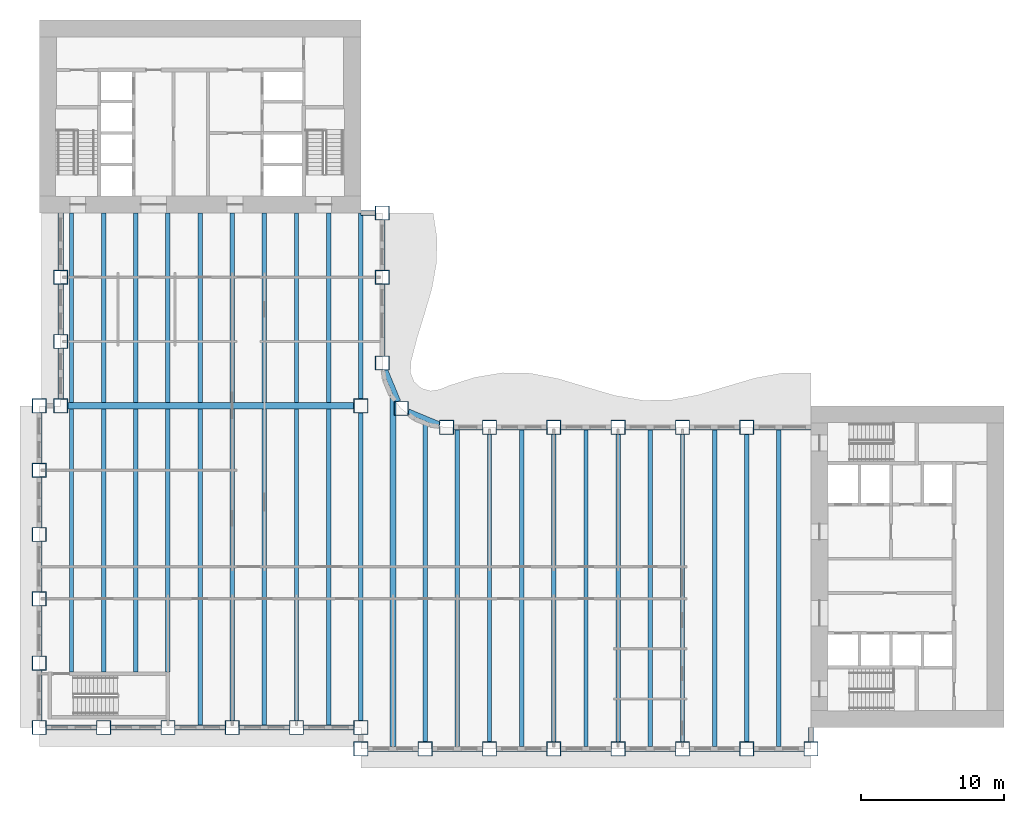
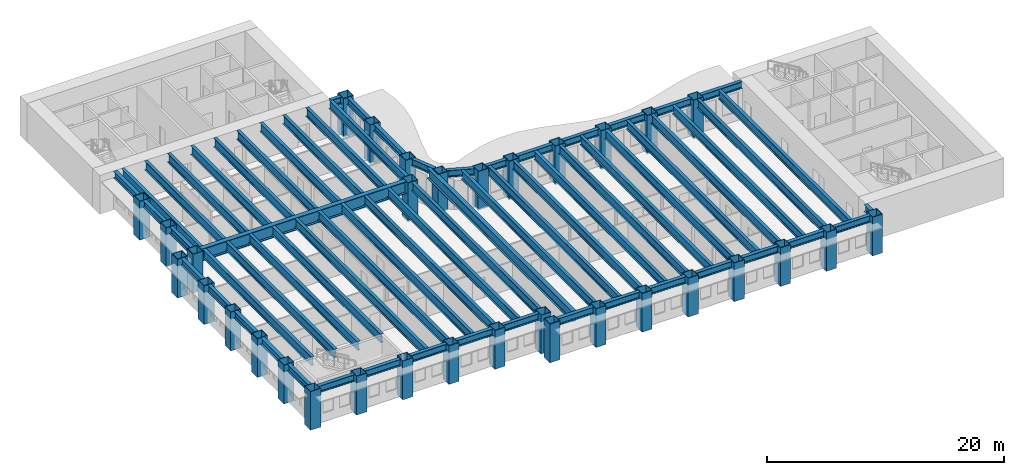
# One storey, part 1 of 16: 66 beams, 33 columns.
"""IFC4 building model written with IfcOpenShell, lengths in metres."""

from ifc_helpers import new_model, si_unit, direction, frame, origin, origin_2d, place, context, subcontext, project, spatial, hollow_rectangle, i_section, extrude, material, material_profile, profile_set, type_object, element, save


model = new_model("IFC4")

# Units and contexts
model_context = context("Model", 3, precision=1e-05, world=origin(), true_north=direction((0.0, 1.0)))
body_context = subcontext(model_context, "Body", "Model", "MODEL_VIEW")
ifc_project = project(units=[si_unit("LENGTHUNIT", "METRE"), si_unit("AREAUNIT", "SQUARE_METRE"), si_unit("VOLUMEUNIT", "CUBIC_METRE"), si_unit("PLANEANGLEUNIT", "RADIAN"), si_unit("MASSUNIT", "GRAM", prefix="KILO")], contexts=[model_context])

# Site, building, storey
site_placement = place(None, origin())
site = spatial("IfcSite", under=ifc_project, at=site_placement, CompositionType="ELEMENT")
building_placement = place(site_placement, origin())
building = spatial("IfcBuilding", under=site, at=building_placement, Name="Sennacour Bend Tower", CompositionType="ELEMENT")
storey_placement = place(building_placement, frame((0.0, 0.0, 115.0)))
storey = spatial("IfcBuildingStorey", under=building, at=storey_placement, Name="L26", CompositionType="ELEMENT", Elevation=115.0)

# Columns
ifc_material_1 = material(Name="Steel ASTM A572 Grade 50", Category="steel")
ifc_material_profile_1 = material_profile(ifc_material_1, hollow_rectangle(XDim=1.0, YDim=1.0, WallThickness=0.050048828125, at=origin_2d()), Name="Steel ASTM A572 Grade 50", Category="steel")
ifc_profile_set_1 = profile_set([ifc_material_profile_1], Name="Steel ASTM A572 Grade 50")
column_type = type_object("IfcColumnType", Name="Box column 1000", PredefinedType="COLUMN", material=ifc_profile_set_1)
for number, where, z_axis, x_axis, name in (
    (1, (0.0, 0.0, -0.14990234375), (0.0, 0.0, 1.0), (1.0, 0.0, 0.0), "Perimeter column C2 L26-001"),
    (2, (0.0, 4.5, -0.14990234375), (0.0, 0.0, 1.0), (1.0, 0.0, 0.0), "Perimeter column C2 L26-002"),
    (3, (0.0, 9.0, -0.14990234375), (0.0, 0.0, 1.0), (1.0, 0.0, 0.0), "Perimeter column C2 L26-003"),
    (4, (0.0, 13.5, -0.14990234375), (0.0, 0.0, 1.0), (1.0, 0.0, 0.0), "Perimeter column C2 L26-004"),
    (5, (0.0, 18.0, -0.14990234375), (0.0, 0.0, 1.0), (1.0, 0.0, 0.0), "Perimeter column C2 L26-005"),
    (6, (0.0, 22.5, -0.14990234375), (0.0, 0.0, 1.0), (1.0, 0.0, 0.0), "Perimeter column C2 L26-006"),
    (7, (1.5, 22.5, -0.14990234375), (0.0, 0.0, 1.0), (1.0, 0.0, 0.0), "Perimeter column C2 L26-007"),
    (8, (1.5, 27.0, -0.14990234375), (0.0, 0.0, 1.0), (1.0, 0.0, 0.0), "Perimeter column C2 L26-008"),
    (9, (1.5, 31.5, -0.14990234375), (0.0, 0.0, 1.0), (1.0, 0.0, 0.0), "Perimeter column C2 L26-009"),
    (10, (4.5, 0.0, -0.14990234375), (0.0, 0.0, 1.0), (1.0, 0.0, 0.0), "Perimeter column C2 L26-010"),
    (11, (9.0, 0.0, -0.14990234375), (0.0, 0.0, 1.0), (1.0, 0.0, 0.0), "Perimeter column C2 L26-011"),
    (12, (13.5, 0.0, -0.14990234375), (0.0, 0.0, 1.0), (1.0, 0.0, 0.0), "Perimeter column C2 L26-012"),
    (13, (18.0, 0.0, -0.14990234375), (0.0, 0.0, 1.0), (1.0, 0.0, 0.0), "Perimeter column C2 L26-013"),
    (14, (22.5, -1.5, -0.14990234375), (0.0, 0.0, 1.0), (1.0, 0.0, 0.0), "Perimeter column C2 L26-014"),
    (15, (22.5, 0.0, -0.14990234375), (0.0, 0.0, 1.0), (1.0, 0.0, 0.0), "Perimeter column C2 L26-015"),
    (16, (22.5, 22.5, -0.14990234375), (0.0, 0.0, 1.0), (1.0, 0.0, 0.0), "Knuckle column C2 L26-016"),
    (17, (24.0, 25.5, -0.14990234375), (0.0, 0.0, 1.0), (1.0, 0.0, 0.0), "Perimeter column C2 L26-017"),
    (18, (24.0, 31.5, -0.14990234375), (0.0, 0.0, 1.0), (1.0, 0.0, 0.0), "Perimeter column C2 L26-018"),
    (19, (24.0, 36.0, -0.14990234375), (0.0, 0.0, 1.0), (1.0, 0.0, 0.0), "Perimeter column C2 L26-019"),
    (20, (25.318115234375, 22.318115234375, -0.14990234375), (0.0, 0.0, 1.0), (1.0, 0.0, 0.0), "Perimeter column C2 L26-020"),
    (21, (27.0, -1.5, -0.14990234375), (0.0, 0.0, 1.0), (1.0, 0.0, 0.0), "Perimeter column C2 L26-021"),
    (22, (28.5, 21.0, -0.14990234375), (0.0, 0.0, 1.0), (1.0, 0.0, 0.0), "Perimeter column C2 L26-022"),
    (23, (31.5, -1.5, -0.14990234375), (0.0, 0.0, 1.0), (1.0, 0.0, 0.0), "Perimeter column C2 L26-023"),
    (24, (31.5, 21.0, -0.14990234375), (0.0, 0.0, 1.0), (1.0, 0.0, 0.0), "Perimeter column C2 L26-024"),
    (25, (36.0, -1.5, -0.14990234375), (0.0, 0.0, 1.0), (1.0, 0.0, 0.0), "Perimeter column C2 L26-025"),
    (26, (36.0, 21.0, -0.14990234375), (0.0, 0.0, 1.0), (1.0, 0.0, 0.0), "Perimeter column C2 L26-026"),
    (27, (40.5, -1.5, -0.14990234375), (0.0, 0.0, 1.0), (1.0, 0.0, 0.0), "Perimeter column C2 L26-027"),
    (28, (40.5, 21.0, -0.14990234375), (0.0, 0.0, 1.0), (1.0, 0.0, 0.0), "Perimeter column C2 L26-028"),
    (29, (45.0, -1.5, -0.14990234375), (0.0, 0.0, 1.0), (1.0, 0.0, 0.0), "Perimeter column C2 L26-029"),
    (30, (45.0, 21.0, -0.14990234375), (0.0, 0.0, 1.0), (1.0, 0.0, 0.0), "Perimeter column C2 L26-030"),
    (31, (49.5, -1.5, -0.14990234375), (0.0, 0.0, 1.0), (1.0, 0.0, 0.0), "Perimeter column C2 L26-031"),
    (32, (49.5, 21.0, -0.14990234375), (0.0, 0.0, 1.0), (1.0, 0.0, 0.0), "Perimeter column C2 L26-032"),
    (33, (54.0, -1.5, -0.14990234375), (0.0, 0.0, 1.0), (1.0, 0.0, 0.0), "Perimeter column C2 L26-033"),
):
    element("IfcColumn", number, at=place(storey_placement, frame(where, z_axis=z_axis, x_axis=x_axis)), inside=storey, type_object=column_type, Name=name, PredefinedType="COLUMN", context=body_context, shape_type="SweptSolid", body=[
        extrude(hollow_rectangle(XDim=1.0, YDim=1.0, WallThickness=0.050048828125, at=origin_2d()), origin(), (0.0, 0.0, 1.0), 4.0),
    ])

# Beams
ifc_material_2 = material(Name="Steel ASTM A992 Grade 50", Category="steel")
ifc_material_profile_2 = material_profile(ifc_material_2, i_section(OverallWidth=0.304931640625, OverallDepth=0.912109375, WebThickness=0.015869140625, FlangeThickness=0.02392578125, FilletRadius=0.01904296875, at=origin_2d()), Name="Steel ASTM A992 Grade 50", Category="steel")
ifc_profile_set_2 = profile_set([ifc_material_profile_2], Name="Steel ASTM A992 Grade 50")
beam_type_1 = type_object("IfcBeamType", Name="Floor beam W920X223", PredefinedType="BEAM", material=ifc_profile_set_2)
beam_1_placement = place(storey_placement, frame((2.25, 3.875, 3.39404296875), z_axis=(0.0, 1.0, 0.0), x_axis=(-1.0, 0.0, 0.0)))
element("IfcBeam", 34, at=beam_1_placement, inside=storey, type_object=beam_type_1, Name="Floor beam FBM1 L27-001", PredefinedType="BEAM", context=body_context, shape_type="SweptSolid", body=[
    extrude(i_section(OverallWidth=0.304931640625, OverallDepth=0.912109375, WebThickness=0.015869140625, FlangeThickness=0.02392578125, FilletRadius=0.01904296875, at=origin_2d()), origin(), (0.0, 0.0, 1.0), 18.39990234375),
])
beam_2_placement = place(storey_placement, frame((2.25, 22.72509765625, 3.39404296875), z_axis=(0.0, 1.0, 0.0), x_axis=(-1.0, 0.0, 0.0)))
element("IfcBeam", 35, at=beam_2_placement, inside=storey, type_object=beam_type_1, Name="Floor beam FBM1 L27-002", PredefinedType="BEAM", context=body_context, shape_type="SweptSolid", body=[
    extrude(i_section(OverallWidth=0.304931640625, OverallDepth=0.912109375, WebThickness=0.015869140625, FlangeThickness=0.02392578125, FilletRadius=0.01904296875, at=origin_2d()), origin(), (0.0, 0.0, 1.0), 13.27490234375),
])
beam_3_placement = place(storey_placement, frame((4.5, 3.875, 3.39404296875), z_axis=(0.0, 1.0, 0.0), x_axis=(-1.0, 0.0, 0.0)))
element("IfcBeam", 36, at=beam_3_placement, inside=storey, type_object=beam_type_1, Name="Floor beam FBM1 L27-003", PredefinedType="BEAM", context=body_context, shape_type="SweptSolid", body=[
    extrude(i_section(OverallWidth=0.304931640625, OverallDepth=0.912109375, WebThickness=0.015869140625, FlangeThickness=0.02392578125, FilletRadius=0.01904296875, at=origin_2d()), origin(), (0.0, 0.0, 1.0), 18.39990234375),
])
beam_4_placement = place(storey_placement, frame((4.5, 22.72509765625, 3.39404296875), z_axis=(0.0, 1.0, 0.0), x_axis=(-1.0, 0.0, 0.0)))
element("IfcBeam", 37, at=beam_4_placement, inside=storey, type_object=beam_type_1, Name="Floor beam FBM1 L27-004", PredefinedType="BEAM", context=body_context, shape_type="SweptSolid", body=[
    extrude(i_section(OverallWidth=0.304931640625, OverallDepth=0.912109375, WebThickness=0.015869140625, FlangeThickness=0.02392578125, FilletRadius=0.01904296875, at=origin_2d()), origin(), (0.0, 0.0, 1.0), 13.27490234375),
])
beam_5_placement = place(storey_placement, frame((6.75, 3.875, 3.39404296875), z_axis=(0.0, 1.0, 0.0), x_axis=(-1.0, 0.0, 0.0)))
element("IfcBeam", 38, at=beam_5_placement, inside=storey, type_object=beam_type_1, Name="Floor beam FBM1 L27-005", PredefinedType="BEAM", context=body_context, shape_type="SweptSolid", body=[
    extrude(i_section(OverallWidth=0.304931640625, OverallDepth=0.912109375, WebThickness=0.015869140625, FlangeThickness=0.02392578125, FilletRadius=0.01904296875, at=origin_2d()), origin(), (0.0, 0.0, 1.0), 18.39990234375),
])
beam_6_placement = place(storey_placement, frame((6.75, 22.72509765625, 3.39404296875), z_axis=(0.0, 1.0, 0.0), x_axis=(-1.0, 0.0, 0.0)))
element("IfcBeam", 39, at=beam_6_placement, inside=storey, type_object=beam_type_1, Name="Floor beam FBM1 L27-006", PredefinedType="BEAM", context=body_context, shape_type="SweptSolid", body=[
    extrude(i_section(OverallWidth=0.304931640625, OverallDepth=0.912109375, WebThickness=0.015869140625, FlangeThickness=0.02392578125, FilletRadius=0.01904296875, at=origin_2d()), origin(), (0.0, 0.0, 1.0), 13.27490234375),
])
beam_7_placement = place(storey_placement, frame((9.0, 3.875, 3.39404296875), z_axis=(0.0, 1.0, 0.0), x_axis=(-1.0, 0.0, 0.0)))
element("IfcBeam", 40, at=beam_7_placement, inside=storey, type_object=beam_type_1, Name="Floor beam FBM1 L27-007", PredefinedType="BEAM", context=body_context, shape_type="SweptSolid", body=[
    extrude(i_section(OverallWidth=0.304931640625, OverallDepth=0.912109375, WebThickness=0.015869140625, FlangeThickness=0.02392578125, FilletRadius=0.01904296875, at=origin_2d()), origin(), (0.0, 0.0, 1.0), 18.39990234375),
])
beam_8_placement = place(storey_placement, frame((9.0, 22.72509765625, 3.39404296875), z_axis=(0.0, 1.0, 0.0), x_axis=(-1.0, 0.0, 0.0)))
element("IfcBeam", 41, at=beam_8_placement, inside=storey, type_object=beam_type_1, Name="Floor beam FBM1 L27-008", PredefinedType="BEAM", context=body_context, shape_type="SweptSolid", body=[
    extrude(i_section(OverallWidth=0.304931640625, OverallDepth=0.912109375, WebThickness=0.015869140625, FlangeThickness=0.02392578125, FilletRadius=0.01904296875, at=origin_2d()), origin(), (0.0, 0.0, 1.0), 13.27490234375),
])
beam_9_placement = place(storey_placement, frame((11.25, 0.177978515625, 3.39404296875), z_axis=(0.0, 1.0, 0.0), x_axis=(-1.0, 0.0, 0.0)))
element("IfcBeam", 42, at=beam_9_placement, inside=storey, type_object=beam_type_1, Name="Floor beam FBM1 L27-009", PredefinedType="BEAM", context=body_context, shape_type="SweptSolid", body=[
    extrude(i_section(OverallWidth=0.304931640625, OverallDepth=0.912109375, WebThickness=0.015869140625, FlangeThickness=0.02392578125, FilletRadius=0.01904296875, at=origin_2d()), origin(), (0.0, 0.0, 1.0), 22.096923828125),
])
beam_10_placement = place(storey_placement, frame((11.25, 22.72509765625, 3.39404296875), z_axis=(0.0, 1.0, 0.0), x_axis=(-1.0, 0.0, 0.0)))
element("IfcBeam", 43, at=beam_10_placement, inside=storey, type_object=beam_type_1, Name="Floor beam FBM1 L27-010", PredefinedType="BEAM", context=body_context, shape_type="SweptSolid", body=[
    extrude(i_section(OverallWidth=0.304931640625, OverallDepth=0.912109375, WebThickness=0.015869140625, FlangeThickness=0.02392578125, FilletRadius=0.01904296875, at=origin_2d()), origin(), (0.0, 0.0, 1.0), 13.27490234375),
])
beam_11_placement = place(storey_placement, frame((13.5, 0.5, 3.39404296875), z_axis=(0.0, 1.0, 0.0), x_axis=(-1.0, 0.0, 0.0)))
element("IfcBeam", 44, at=beam_11_placement, inside=storey, type_object=beam_type_1, Name="Floor beam FBM1 L27-011", PredefinedType="BEAM", context=body_context, shape_type="SweptSolid", body=[
    extrude(i_section(OverallWidth=0.304931640625, OverallDepth=0.912109375, WebThickness=0.015869140625, FlangeThickness=0.02392578125, FilletRadius=0.01904296875, at=origin_2d()), origin(), (0.0, 0.0, 1.0), 21.77490234375),
])
beam_12_placement = place(storey_placement, frame((13.5, 22.72509765625, 3.39404296875), z_axis=(0.0, 1.0, 0.0), x_axis=(-1.0, 0.0, 0.0)))
element("IfcBeam", 45, at=beam_12_placement, inside=storey, type_object=beam_type_1, Name="Floor beam FBM1 L27-012", PredefinedType="BEAM", context=body_context, shape_type="SweptSolid", body=[
    extrude(i_section(OverallWidth=0.304931640625, OverallDepth=0.912109375, WebThickness=0.015869140625, FlangeThickness=0.02392578125, FilletRadius=0.01904296875, at=origin_2d()), origin(), (0.0, 0.0, 1.0), 13.27490234375),
])
beam_13_placement = place(storey_placement, frame((15.75, 0.177978515625, 3.39404296875), z_axis=(0.0, 1.0, 0.0), x_axis=(-1.0, 0.0, 0.0)))
element("IfcBeam", 46, at=beam_13_placement, inside=storey, type_object=beam_type_1, Name="Floor beam FBM1 L27-013", PredefinedType="BEAM", context=body_context, shape_type="SweptSolid", body=[
    extrude(i_section(OverallWidth=0.304931640625, OverallDepth=0.912109375, WebThickness=0.015869140625, FlangeThickness=0.02392578125, FilletRadius=0.01904296875, at=origin_2d()), origin(), (0.0, 0.0, 1.0), 22.096923828125),
])
beam_14_placement = place(storey_placement, frame((15.75, 22.72509765625, 3.39404296875), z_axis=(0.0, 1.0, 0.0), x_axis=(-1.0, 0.0, 0.0)))
element("IfcBeam", 47, at=beam_14_placement, inside=storey, type_object=beam_type_1, Name="Floor beam FBM1 L27-014", PredefinedType="BEAM", context=body_context, shape_type="SweptSolid", body=[
    extrude(i_section(OverallWidth=0.304931640625, OverallDepth=0.912109375, WebThickness=0.015869140625, FlangeThickness=0.02392578125, FilletRadius=0.01904296875, at=origin_2d()), origin(), (0.0, 0.0, 1.0), 13.27490234375),
])
beam_15_placement = place(storey_placement, frame((18.0, 0.5, 3.39404296875), z_axis=(0.0, 1.0, 0.0), x_axis=(-1.0, 0.0, 0.0)))
element("IfcBeam", 48, at=beam_15_placement, inside=storey, type_object=beam_type_1, Name="Floor beam FBM1 L27-015", PredefinedType="BEAM", context=body_context, shape_type="SweptSolid", body=[
    extrude(i_section(OverallWidth=0.304931640625, OverallDepth=0.912109375, WebThickness=0.015869140625, FlangeThickness=0.02392578125, FilletRadius=0.01904296875, at=origin_2d()), origin(), (0.0, 0.0, 1.0), 21.77490234375),
])
beam_16_placement = place(storey_placement, frame((18.0, 22.72509765625, 3.39404296875), z_axis=(0.0, 1.0, 0.0), x_axis=(-1.0, 0.0, 0.0)))
element("IfcBeam", 49, at=beam_16_placement, inside=storey, type_object=beam_type_1, Name="Floor beam FBM1 L27-016", PredefinedType="BEAM", context=body_context, shape_type="SweptSolid", body=[
    extrude(i_section(OverallWidth=0.304931640625, OverallDepth=0.912109375, WebThickness=0.015869140625, FlangeThickness=0.02392578125, FilletRadius=0.01904296875, at=origin_2d()), origin(), (0.0, 0.0, 1.0), 13.27490234375),
])
beam_17_placement = place(storey_placement, frame((20.25, 0.177978515625, 3.39404296875), z_axis=(0.0, 1.0, 0.0), x_axis=(-1.0, 0.0, 0.0)))
element("IfcBeam", 50, at=beam_17_placement, inside=storey, type_object=beam_type_1, Name="Floor beam FBM1 L27-017", PredefinedType="BEAM", context=body_context, shape_type="SweptSolid", body=[
    extrude(i_section(OverallWidth=0.304931640625, OverallDepth=0.912109375, WebThickness=0.015869140625, FlangeThickness=0.02392578125, FilletRadius=0.01904296875, at=origin_2d()), origin(), (0.0, 0.0, 1.0), 22.096923828125),
])
beam_18_placement = place(storey_placement, frame((20.25, 22.72509765625, 3.39404296875), z_axis=(0.0, 1.0, 0.0), x_axis=(-1.0, 0.0, 0.0)))
element("IfcBeam", 51, at=beam_18_placement, inside=storey, type_object=beam_type_1, Name="Floor beam FBM1 L27-018", PredefinedType="BEAM", context=body_context, shape_type="SweptSolid", body=[
    extrude(i_section(OverallWidth=0.304931640625, OverallDepth=0.912109375, WebThickness=0.015869140625, FlangeThickness=0.02392578125, FilletRadius=0.01904296875, at=origin_2d()), origin(), (0.0, 0.0, 1.0), 13.27490234375),
])
beam_19_placement = place(storey_placement, frame((22.5, 0.5, 3.39404296875), z_axis=(0.0, 1.0, 0.0), x_axis=(-1.0, 0.0, 0.0)))
element("IfcBeam", 52, at=beam_19_placement, inside=storey, type_object=beam_type_1, Name="Floor beam FBM1 L27-019", PredefinedType="BEAM", context=body_context, shape_type="SweptSolid", body=[
    extrude(i_section(OverallWidth=0.304931640625, OverallDepth=0.912109375, WebThickness=0.015869140625, FlangeThickness=0.02392578125, FilletRadius=0.01904296875, at=origin_2d()), origin(), (0.0, 0.0, 1.0), 21.5),
])
beam_20_placement = place(storey_placement, frame((22.5, 23.0, 3.39404296875), z_axis=(0.0, 1.0, 0.0), x_axis=(-1.0, 0.0, 0.0)))
element("IfcBeam", 53, at=beam_20_placement, inside=storey, type_object=beam_type_1, Name="Floor beam FBM1 L27-020", PredefinedType="BEAM", context=body_context, shape_type="SweptSolid", body=[
    extrude(i_section(OverallWidth=0.304931640625, OverallDepth=0.912109375, WebThickness=0.015869140625, FlangeThickness=0.02392578125, FilletRadius=0.01904296875, at=origin_2d()), origin(), (0.0, 0.0, 1.0), 13.0),
])
beam_21_placement = place(storey_placement, frame((27.0, -1.0, 3.39404296875), z_axis=(0.0, 1.0, 0.0), x_axis=(-1.0, 0.0, 0.0)))
element("IfcBeam", 54, at=beam_21_placement, inside=storey, type_object=beam_type_1, Name="Floor beam FBM1 L27-022", PredefinedType="BEAM", context=body_context, shape_type="SweptSolid", body=[
    extrude(i_section(OverallWidth=0.304931640625, OverallDepth=0.912109375, WebThickness=0.015869140625, FlangeThickness=0.02392578125, FilletRadius=0.01904296875, at=origin_2d()), origin(), (0.0, 0.0, 1.0), 22.4287109375),
])
beam_22_placement = place(storey_placement, frame((29.25, -1.322021484375, 3.39404296875), z_axis=(0.0, 1.0, 0.0), x_axis=(-1.0, 0.0, 0.0)))
element("IfcBeam", 55, at=beam_22_placement, inside=storey, type_object=beam_type_1, Name="Floor beam FBM1 L27-023", PredefinedType="BEAM", context=body_context, shape_type="SweptSolid", body=[
    extrude(i_section(OverallWidth=0.304931640625, OverallDepth=0.912109375, WebThickness=0.015869140625, FlangeThickness=0.02392578125, FilletRadius=0.01904296875, at=origin_2d()), origin(), (0.0, 0.0, 1.0), 22.14404296875),
])
beam_23_placement = place(storey_placement, frame((31.5, -1.0, 3.39404296875), z_axis=(0.0, 1.0, 0.0), x_axis=(-1.0, 0.0, 0.0)))
element("IfcBeam", 56, at=beam_23_placement, inside=storey, type_object=beam_type_1, Name="Floor beam FBM1 L27-024", PredefinedType="BEAM", context=body_context, shape_type="SweptSolid", body=[
    extrude(i_section(OverallWidth=0.304931640625, OverallDepth=0.912109375, WebThickness=0.015869140625, FlangeThickness=0.02392578125, FilletRadius=0.01904296875, at=origin_2d()), origin(), (0.0, 0.0, 1.0), 21.5),
])
beam_24_placement = place(storey_placement, frame((33.75, -1.322021484375, 3.39404296875), z_axis=(0.0, 1.0, 0.0), x_axis=(-1.0, 0.0, 0.0)))
element("IfcBeam", 57, at=beam_24_placement, inside=storey, type_object=beam_type_1, Name="Floor beam FBM1 L27-025", PredefinedType="BEAM", context=body_context, shape_type="SweptSolid", body=[
    extrude(i_section(OverallWidth=0.304931640625, OverallDepth=0.912109375, WebThickness=0.015869140625, FlangeThickness=0.02392578125, FilletRadius=0.01904296875, at=origin_2d()), origin(), (0.0, 0.0, 1.0), 22.14404296875),
])
beam_25_placement = place(storey_placement, frame((36.0, -1.0, 3.39404296875), z_axis=(0.0, 1.0, 0.0), x_axis=(-1.0, 0.0, 0.0)))
element("IfcBeam", 58, at=beam_25_placement, inside=storey, type_object=beam_type_1, Name="Floor beam FBM1 L27-026", PredefinedType="BEAM", context=body_context, shape_type="SweptSolid", body=[
    extrude(i_section(OverallWidth=0.304931640625, OverallDepth=0.912109375, WebThickness=0.015869140625, FlangeThickness=0.02392578125, FilletRadius=0.01904296875, at=origin_2d()), origin(), (0.0, 0.0, 1.0), 21.5),
])
beam_26_placement = place(storey_placement, frame((38.25, -1.322021484375, 3.39404296875), z_axis=(0.0, 1.0, 0.0), x_axis=(-1.0, 0.0, 0.0)))
element("IfcBeam", 59, at=beam_26_placement, inside=storey, type_object=beam_type_1, Name="Floor beam FBM1 L27-027", PredefinedType="BEAM", context=body_context, shape_type="SweptSolid", body=[
    extrude(i_section(OverallWidth=0.304931640625, OverallDepth=0.912109375, WebThickness=0.015869140625, FlangeThickness=0.02392578125, FilletRadius=0.01904296875, at=origin_2d()), origin(), (0.0, 0.0, 1.0), 22.14404296875),
])
beam_27_placement = place(storey_placement, frame((40.5, -1.0, 3.39404296875), z_axis=(0.0, 1.0, 0.0), x_axis=(-1.0, 0.0, 0.0)))
element("IfcBeam", 60, at=beam_27_placement, inside=storey, type_object=beam_type_1, Name="Floor beam FBM1 L27-028", PredefinedType="BEAM", context=body_context, shape_type="SweptSolid", body=[
    extrude(i_section(OverallWidth=0.304931640625, OverallDepth=0.912109375, WebThickness=0.015869140625, FlangeThickness=0.02392578125, FilletRadius=0.01904296875, at=origin_2d()), origin(), (0.0, 0.0, 1.0), 21.5),
])
beam_28_placement = place(storey_placement, frame((42.75, -1.322021484375, 3.39404296875), z_axis=(0.0, 1.0, 0.0), x_axis=(-1.0, 0.0, 0.0)))
element("IfcBeam", 61, at=beam_28_placement, inside=storey, type_object=beam_type_1, Name="Floor beam FBM1 L27-029", PredefinedType="BEAM", context=body_context, shape_type="SweptSolid", body=[
    extrude(i_section(OverallWidth=0.304931640625, OverallDepth=0.912109375, WebThickness=0.015869140625, FlangeThickness=0.02392578125, FilletRadius=0.01904296875, at=origin_2d()), origin(), (0.0, 0.0, 1.0), 22.14404296875),
])
beam_29_placement = place(storey_placement, frame((45.0, -1.0, 3.39404296875), z_axis=(0.0, 1.0, 0.0), x_axis=(-1.0, 0.0, 0.0)))
element("IfcBeam", 62, at=beam_29_placement, inside=storey, type_object=beam_type_1, Name="Floor beam FBM1 L27-030", PredefinedType="BEAM", context=body_context, shape_type="SweptSolid", body=[
    extrude(i_section(OverallWidth=0.304931640625, OverallDepth=0.912109375, WebThickness=0.015869140625, FlangeThickness=0.02392578125, FilletRadius=0.01904296875, at=origin_2d()), origin(), (0.0, 0.0, 1.0), 21.5),
])
beam_30_placement = place(storey_placement, frame((47.25, -1.322021484375, 3.39404296875), z_axis=(0.0, 1.0, 0.0), x_axis=(-1.0, 0.0, 0.0)))
element("IfcBeam", 63, at=beam_30_placement, inside=storey, type_object=beam_type_1, Name="Floor beam FBM1 L27-031", PredefinedType="BEAM", context=body_context, shape_type="SweptSolid", body=[
    extrude(i_section(OverallWidth=0.304931640625, OverallDepth=0.912109375, WebThickness=0.015869140625, FlangeThickness=0.02392578125, FilletRadius=0.01904296875, at=origin_2d()), origin(), (0.0, 0.0, 1.0), 22.14404296875),
])
beam_31_placement = place(storey_placement, frame((49.5, -1.0, 3.39404296875), z_axis=(0.0, 1.0, 0.0), x_axis=(-1.0, 0.0, 0.0)))
element("IfcBeam", 64, at=beam_31_placement, inside=storey, type_object=beam_type_1, Name="Floor beam FBM1 L27-032", PredefinedType="BEAM", context=body_context, shape_type="SweptSolid", body=[
    extrude(i_section(OverallWidth=0.304931640625, OverallDepth=0.912109375, WebThickness=0.015869140625, FlangeThickness=0.02392578125, FilletRadius=0.01904296875, at=origin_2d()), origin(), (0.0, 0.0, 1.0), 21.5),
])
beam_32_placement = place(storey_placement, frame((51.75, -1.322021484375, 3.39404296875), z_axis=(0.0, 1.0, 0.0), x_axis=(-1.0, 0.0, 0.0)))
element("IfcBeam", 65, at=beam_32_placement, inside=storey, type_object=beam_type_1, Name="Floor beam FBM1 L27-033", PredefinedType="BEAM", context=body_context, shape_type="SweptSolid", body=[
    extrude(i_section(OverallWidth=0.304931640625, OverallDepth=0.912109375, WebThickness=0.015869140625, FlangeThickness=0.02392578125, FilletRadius=0.01904296875, at=origin_2d()), origin(), (0.0, 0.0, 1.0), 22.14404296875),
])
ifc_material_profile_3 = material_profile(ifc_material_1, i_section(OverallWidth=0.449951171875, OverallDepth=1.25, WebThickness=0.028076171875, FlangeThickness=0.050048828125, at=origin_2d()), Name="Steel ASTM A572 Grade 50", Category="steel")
ifc_profile_set_3 = profile_set([ifc_material_profile_3], Name="Steel ASTM A572 Grade 50")
beam_type_2 = type_object("IfcBeamType", Name="Knuckle girder 1250", PredefinedType="USERDEFINED", material=ifc_profile_set_3)
beam_33_placement = place(storey_placement, frame((2.0, 22.5, 3.22509765625), z_axis=(1.0, 0.0, 0.0), x_axis=(0.0, 1.0, 0.0)))
element("IfcBeam", 66, at=beam_33_placement, inside=storey, type_object=beam_type_2, Name="Knuckle girder GK L27-001", ObjectType="KNUCKLE GIRDER", PredefinedType="USERDEFINED", context=body_context, shape_type="SweptSolid", body=[
    extrude(i_section(OverallWidth=0.449951171875, OverallDepth=1.25, WebThickness=0.028076171875, FlangeThickness=0.050048828125, at=origin_2d()), origin(), (0.0, 0.0, 1.0), 20.0),
])
ifc_material_profile_4 = material_profile(ifc_material_2, i_section(OverallWidth=0.40087890625, OverallDepth=1.090087890625, WebThickness=0.01806640625, FlangeThickness=0.031005859375, FilletRadius=0.02001953125, at=origin_2d()), Name="Steel ASTM A992 Grade 50", Category="steel")
ifc_profile_set_4 = profile_set([ifc_material_profile_4], Name="Steel ASTM A992 Grade 50")
beam_type_3 = type_object("IfcBeamType", Name="Notch floor beam W1100X343", PredefinedType="BEAM", material=ifc_profile_set_4)
beam_34_placement = place(storey_placement, frame((24.75, -1.322021484375, 3.304931640625), z_axis=(0.0, 1.0, 0.0), x_axis=(-1.0, 0.0, 0.0)))
element("IfcBeam", 67, at=beam_34_placement, inside=storey, type_object=beam_type_3, Name="Floor beam FBM4 L27-021", PredefinedType="BEAM", context=body_context, shape_type="SweptSolid", body=[
    extrude(i_section(OverallWidth=0.40087890625, OverallDepth=1.090087890625, WebThickness=0.01806640625, FlangeThickness=0.031005859375, FilletRadius=0.02001953125, at=origin_2d()), origin(), (0.0, 0.0, 1.0), 24.546142578125),
])
ifc_material_profile_5 = material_profile(ifc_material_2, i_section(OverallWidth=0.35595703125, OverallDepth=0.696044921875, WebThickness=0.015380859375, FlangeThickness=0.02490234375, FilletRadius=0.02001953125, at=origin_2d()), Name="Steel ASTM A992 Grade 50", Category="steel")
ifc_profile_set_5 = profile_set([ifc_material_profile_5], Name="Steel ASTM A992 Grade 50")
beam_type_4 = type_object("IfcBeamType", Name="Spandrel beam W690X217", PredefinedType="SPANDREL", material=ifc_profile_set_5)
for number, where, z_axis, x_axis, name in (
    (68, (22.0, 0.0, 3.501953125), (-1.0, 0.0, 0.0), (0.0, -1.0, 0.0), "Spandrel beam SP3 L27-001"),
    (69, (17.5, 0.0, 3.501953125), (-1.0, 0.0, 0.0), (0.0, -1.0, 0.0), "Spandrel beam SP3 L27-002"),
    (70, (13.0, 0.0, 3.501953125), (-1.0, 0.0, 0.0), (0.0, -1.0, 0.0), "Spandrel beam SP3 L27-003"),
    (71, (8.5, 0.0, 3.501953125), (-1.0, 0.0, 0.0), (0.0, -1.0, 0.0), "Spandrel beam SP3 L27-004"),
    (72, (4.0, 0.0, 3.501953125), (-1.0, 0.0, 0.0), (0.0, -1.0, 0.0), "Spandrel beam SP3 L27-005"),
    (73, (0.0, 0.5, 3.501953125), (0.0, 1.0, 0.0), (-1.0, 0.0, 0.0), "Spandrel beam SP3 L27-006"),
    (74, (0.0, 5.0, 3.501953125), (0.0, 1.0, 0.0), (-1.0, 0.0, 0.0), "Spandrel beam SP3 L27-007"),
    (75, (0.0, 9.5, 3.501953125), (0.0, 1.0, 0.0), (-1.0, 0.0, 0.0), "Spandrel beam SP3 L27-008"),
    (76, (0.0, 14.0, 3.501953125), (0.0, 1.0, 0.0), (-1.0, 0.0, 0.0), "Spandrel beam SP3 L27-009"),
    (77, (0.0, 18.5, 3.501953125), (0.0, 1.0, 0.0), (-1.0, 0.0, 0.0), "Spandrel beam SP3 L27-010"),
    (78, (1.5, 23.0, 3.501953125), (0.0, 1.0, 0.0), (-1.0, 0.0, 0.0), "Spandrel beam SP3 L27-011"),
    (79, (1.5, 27.5, 3.501953125), (0.0, 1.0, 0.0), (-1.0, 0.0, 0.0), "Spandrel beam SP3 L27-012"),
):
    element("IfcBeam", number, at=place(storey_placement, frame(where, z_axis=z_axis, x_axis=x_axis)), inside=storey, type_object=beam_type_4, Name=name, PredefinedType="SPANDREL", context=body_context, shape_type="SweptSolid", body=[
        extrude(i_section(OverallWidth=0.35595703125, OverallDepth=0.696044921875, WebThickness=0.015380859375, FlangeThickness=0.02490234375, FilletRadius=0.02001953125, at=origin_2d()), origin(), (0.0, 0.0, 1.0), 3.5),
    ])
beam_35_placement = place(storey_placement, frame((1.5, 32.0, 3.501953125), z_axis=(0.0, 1.0, 0.0), x_axis=(-1.0, 0.0, 0.0)))
element("IfcBeam", 80, at=beam_35_placement, inside=storey, type_object=beam_type_4, Name="Spandrel beam SP3 L27-013", PredefinedType="SPANDREL", context=body_context, shape_type="SweptSolid", body=[
    extrude(i_section(OverallWidth=0.35595703125, OverallDepth=0.696044921875, WebThickness=0.015380859375, FlangeThickness=0.02490234375, FilletRadius=0.02001953125, at=origin_2d()), origin(), (0.0, 0.0, 1.0), 4.0),
])
beam_36_placement = place(storey_placement, frame((22.5, 36.0, 3.501953125), z_axis=(1.0, 0.0, 0.0), x_axis=(0.0, 1.0, 0.0)))
element("IfcBeam", 81, at=beam_36_placement, inside=storey, type_object=beam_type_4, Name="Spandrel beam SP3 L27-014", PredefinedType="SPANDREL", context=body_context, shape_type="SweptSolid", body=[
    extrude(i_section(OverallWidth=0.35595703125, OverallDepth=0.696044921875, WebThickness=0.015380859375, FlangeThickness=0.02490234375, FilletRadius=0.02001953125, at=origin_2d()), origin(), (0.0, 0.0, 1.0), 1.0),
])
beam_37_placement = place(storey_placement, frame((24.0, 35.5, 3.501953125), z_axis=(0.0, -1.0, 0.0), x_axis=(1.0, 0.0, 0.0)))
element("IfcBeam", 82, at=beam_37_placement, inside=storey, type_object=beam_type_4, Name="Spandrel beam SP3 L27-015", PredefinedType="SPANDREL", context=body_context, shape_type="SweptSolid", body=[
    extrude(i_section(OverallWidth=0.35595703125, OverallDepth=0.696044921875, WebThickness=0.015380859375, FlangeThickness=0.02490234375, FilletRadius=0.02001953125, at=origin_2d()), origin(), (0.0, 0.0, 1.0), 3.5),
])
beam_38_placement = place(storey_placement, frame((24.0, 31.0, 3.501953125), z_axis=(0.0, -1.0, 0.0), x_axis=(1.0, 0.0, 0.0)))
element("IfcBeam", 83, at=beam_38_placement, inside=storey, type_object=beam_type_4, Name="Spandrel beam SP3 L27-016", PredefinedType="SPANDREL", context=body_context, shape_type="SweptSolid", body=[
    extrude(i_section(OverallWidth=0.35595703125, OverallDepth=0.696044921875, WebThickness=0.015380859375, FlangeThickness=0.02490234375, FilletRadius=0.02001953125, at=origin_2d()), origin(), (0.0, 0.0, 1.0), 5.0),
])
for number, where, z_axis, x_axis, name in (
    (84, (24.20703125, 25.0, 3.501953125), (0.382698732017, -0.92387319504, 0.0), (0.92387319504, 0.382698732017, 0.0), "Spandrel beam SP3 L27-017"),
    (85, (25.818115234375, 22.11083984375, 3.501953125), (0.92387319504, -0.382698732017, 0.0), (0.382698732017, 0.92387319504, 0.0), "Spandrel beam SP3 L27-018"),
):
    element("IfcBeam", number, at=place(storey_placement, frame(where, z_axis=z_axis, x_axis=x_axis)), inside=storey, type_object=beam_type_4, Name=name, PredefinedType="SPANDREL", context=body_context, shape_type="SweptSolid", body=[
        extrude(i_section(OverallWidth=0.35595703125, OverallDepth=0.696044921875, WebThickness=0.015380859375, FlangeThickness=0.02490234375, FilletRadius=0.02001953125, at=origin_2d()), origin(), (0.0, 0.0, 1.0), 2.361572265625),
    ])
beam_39_placement = place(storey_placement, frame((29.0, 21.0, 3.501953125), z_axis=(1.0, 0.0, 0.0), x_axis=(0.0, 1.0, 0.0)))
element("IfcBeam", 86, at=beam_39_placement, inside=storey, type_object=beam_type_4, Name="Spandrel beam SP3 L27-019", PredefinedType="SPANDREL", context=body_context, shape_type="SweptSolid", body=[
    extrude(i_section(OverallWidth=0.35595703125, OverallDepth=0.696044921875, WebThickness=0.015380859375, FlangeThickness=0.02490234375, FilletRadius=0.02001953125, at=origin_2d()), origin(), (0.0, 0.0, 1.0), 2.0),
])
for number, where, z_axis, x_axis, name in (
    (87, (32.0, 21.0, 3.501953125), (1.0, 0.0, 0.0), (0.0, 1.0, 0.0), "Spandrel beam SP3 L27-020"),
    (88, (36.5, 21.0, 3.501953125), (1.0, 0.0, 0.0), (0.0, 1.0, 0.0), "Spandrel beam SP3 L27-021"),
    (89, (41.0, 21.0, 3.501953125), (1.0, 0.0, 0.0), (0.0, 1.0, 0.0), "Spandrel beam SP3 L27-022"),
    (90, (45.5, 21.0, 3.501953125), (1.0, 0.0, 0.0), (0.0, 1.0, 0.0), "Spandrel beam SP3 L27-023"),
):
    element("IfcBeam", number, at=place(storey_placement, frame(where, z_axis=z_axis, x_axis=x_axis)), inside=storey, type_object=beam_type_4, Name=name, PredefinedType="SPANDREL", context=body_context, shape_type="SweptSolid", body=[
        extrude(i_section(OverallWidth=0.35595703125, OverallDepth=0.696044921875, WebThickness=0.015380859375, FlangeThickness=0.02490234375, FilletRadius=0.02001953125, at=origin_2d()), origin(), (0.0, 0.0, 1.0), 3.5),
    ])
beam_40_placement = place(storey_placement, frame((50.0, 21.0, 3.501953125), z_axis=(1.0, 0.0, 0.0), x_axis=(0.0, 1.0, 0.0)))
element("IfcBeam", 91, at=beam_40_placement, inside=storey, type_object=beam_type_4, Name="Spandrel beam SP3 L27-024", PredefinedType="SPANDREL", context=body_context, shape_type="SweptSolid", body=[
    extrude(i_section(OverallWidth=0.35595703125, OverallDepth=0.696044921875, WebThickness=0.015380859375, FlangeThickness=0.02490234375, FilletRadius=0.02001953125, at=origin_2d()), origin(), (0.0, 0.0, 1.0), 4.0),
])
beam_41_placement = place(storey_placement, frame((54.0, 0.0, 3.501953125), z_axis=(0.0, -1.0, 0.0), x_axis=(1.0, 0.0, 0.0)))
element("IfcBeam", 92, at=beam_41_placement, inside=storey, type_object=beam_type_4, Name="Spandrel beam SP3 L27-025", PredefinedType="SPANDREL", context=body_context, shape_type="SweptSolid", body=[
    extrude(i_section(OverallWidth=0.35595703125, OverallDepth=0.696044921875, WebThickness=0.015380859375, FlangeThickness=0.02490234375, FilletRadius=0.02001953125, at=origin_2d()), origin(), (0.0, 0.0, 1.0), 1.0),
])
for number, where, z_axis, x_axis, name in (
    (93, (53.5, -1.5, 3.501953125), (-1.0, 0.0, 0.0), (0.0, -1.0, 0.0), "Spandrel beam SP3 L27-026"),
    (94, (49.0, -1.5, 3.501953125), (-1.0, 0.0, 0.0), (0.0, -1.0, 0.0), "Spandrel beam SP3 L27-027"),
    (95, (44.5, -1.5, 3.501953125), (-1.0, 0.0, 0.0), (0.0, -1.0, 0.0), "Spandrel beam SP3 L27-028"),
    (96, (40.0, -1.5, 3.501953125), (-1.0, 0.0, 0.0), (0.0, -1.0, 0.0), "Spandrel beam SP3 L27-029"),
    (97, (35.5, -1.5, 3.501953125), (-1.0, 0.0, 0.0), (0.0, -1.0, 0.0), "Spandrel beam SP3 L27-030"),
    (98, (31.0, -1.5, 3.501953125), (-1.0, 0.0, 0.0), (0.0, -1.0, 0.0), "Spandrel beam SP3 L27-031"),
    (99, (26.5, -1.5, 3.501953125), (-1.0, 0.0, 0.0), (0.0, -1.0, 0.0), "Spandrel beam SP3 L27-032"),
):
    element("IfcBeam", number, at=place(storey_placement, frame(where, z_axis=z_axis, x_axis=x_axis)), inside=storey, type_object=beam_type_4, Name=name, PredefinedType="SPANDREL", context=body_context, shape_type="SweptSolid", body=[
        extrude(i_section(OverallWidth=0.35595703125, OverallDepth=0.696044921875, WebThickness=0.015380859375, FlangeThickness=0.02490234375, FilletRadius=0.02001953125, at=origin_2d()), origin(), (0.0, 0.0, 1.0), 3.5),
    ])

save(model, "model.ifc")
